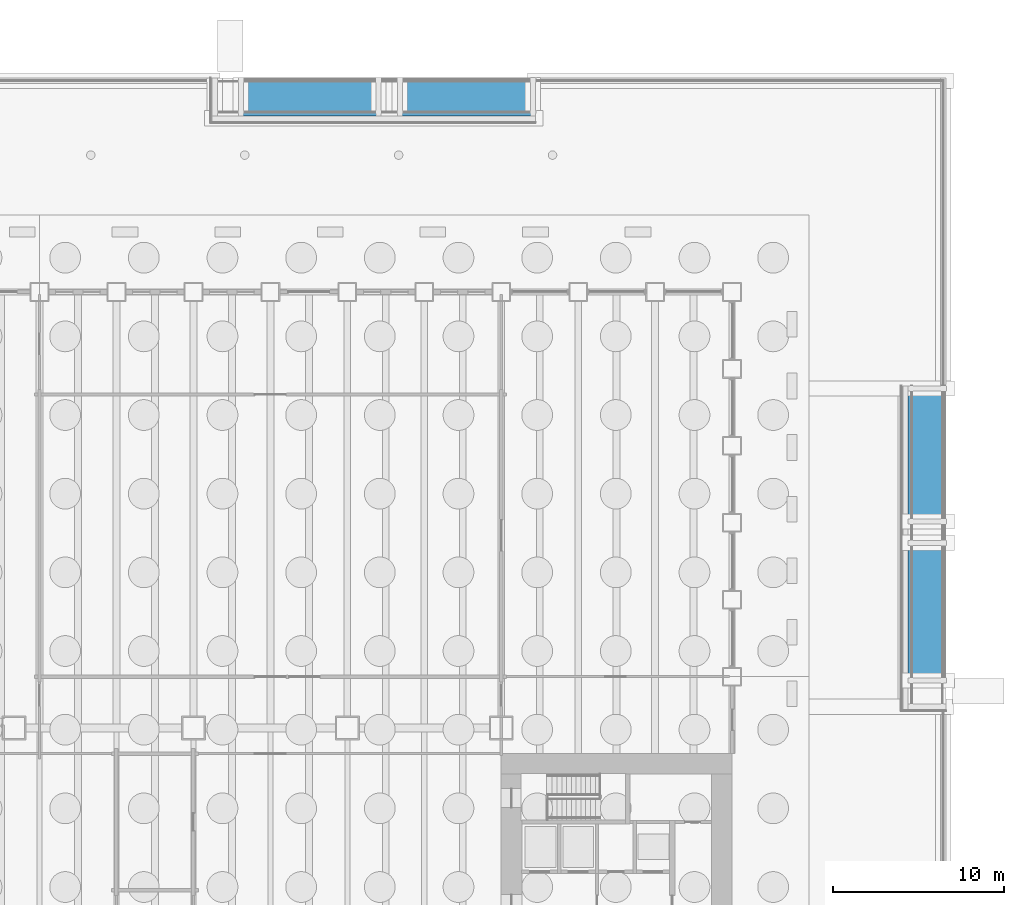
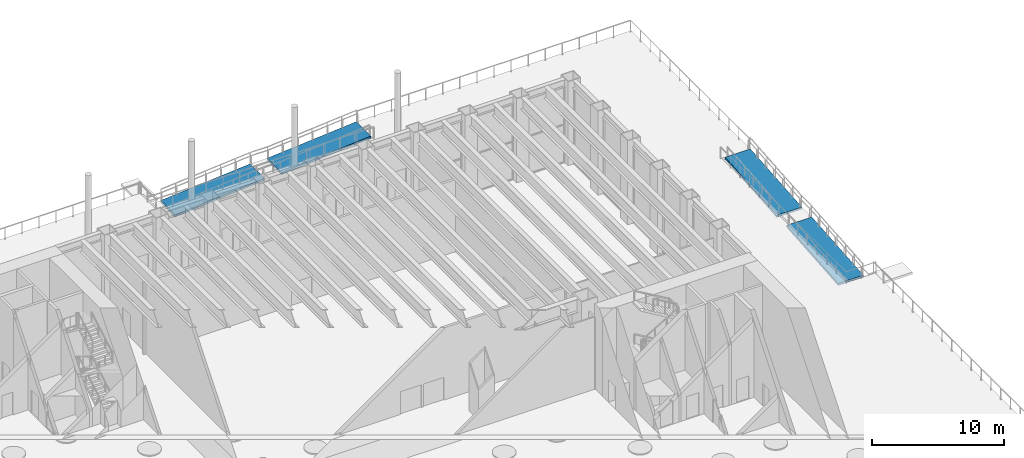
# One storey, part 16 of 26: 4 ramp flights, 2 elements without a shape of their own.
"""IFC4 building model written with IfcOpenShell, lengths in metres."""

from ifc_helpers import new_model, si_unit, direction, frame, origin, place, context, subcontext, project, spatial, polyline, outline, extrude, material, layer, layer_set, type_object, element, aggregate, save


model = new_model("IFC4")

# Units and contexts
model_context = context("Model", 3, precision=1e-05, world=origin(), true_north=direction((0.0, 1.0)))
body_context = subcontext(model_context, "Body", "Model", "MODEL_VIEW")
ifc_project = project(units=[si_unit("LENGTHUNIT", "METRE"), si_unit("AREAUNIT", "SQUARE_METRE"), si_unit("VOLUMEUNIT", "CUBIC_METRE"), si_unit("PLANEANGLEUNIT", "RADIAN"), si_unit("MASSUNIT", "GRAM", prefix="KILO")], contexts=[model_context])

# Site, building, storey
site_placement = place(None, origin())
site = spatial("IfcSite", under=ifc_project, at=site_placement, CompositionType="ELEMENT")
building_placement = place(site_placement, origin())
building = spatial("IfcBuilding", under=site, at=building_placement, Name="Sennacour Bend Tower", CompositionType="ELEMENT")
storey_placement = place(building_placement, origin())
storey = spatial("IfcBuildingStorey", under=building, at=storey_placement, Name="L00", CompositionType="ELEMENT", Elevation=0.0)

# Ramp, ramp flights
ifc_material = material(Name="Concrete C40/50", Category="concrete")
ramp_type = type_object("IfcRampType", Name="PLAZA RAMP", PredefinedType="TWO_STRAIGHT_RUN_RAMP", material=ifc_material)
ramp_1_placement = place(storey_placement, origin())
ramp_1 = element("IfcRamp", 1, at=ramp_1_placement, inside=storey, type_object=ramp_type, Name="Plaza ramp East", PredefinedType="TWO_STRAIGHT_RUN_RAMP")
ifc_layer = layer(ifc_material, 0.199951171875, Name="Concrete C40/50", Category="concrete")
ifc_layer_set = layer_set([ifc_layer], Name="Concrete C40/50")
ramp_flight_type = type_object("IfcRampFlightType", Name="RAMP FLIGHT 200", PredefinedType="STRAIGHT", material=ifc_layer_set)
ramp_flight_1_placement = place(storey_placement, frame((77.800048828125, 44.0, 0.0), z_axis=(0.0, -0.083032572895, 0.996546833741), x_axis=(1.0, 0.0, 0.0)))
ramp_flight_1 = element("IfcRampFlight", 2, at=ramp_flight_1_placement, type_object=ramp_flight_type, Name="Ramp flight 1 East", PredefinedType="STRAIGHT", context=body_context, shape_type="SweptSolid", body=[
    extrude(outline(polyline([(0.0, 0.0), (2.199951171875, 0.0), (2.199951171875, -7.827077026422183), (0.0, -7.827077026422183), (0.0, 0.0)])), origin(), (0.0, -0.083032572895, -0.996546833741), 0.199951171875),
])
ramp_flight_2_placement = place(storey_placement, frame((77.800048828125, 34.699951171875, -0.64990234375), z_axis=(0.0, -0.083063549526, 0.996544252274), x_axis=(1.0, 0.0, 0.0)))
ramp_flight_2 = element("IfcRampFlight", 3, at=ramp_flight_2_placement, type_object=ramp_flight_type, Name="Ramp flight 2 East", PredefinedType="STRAIGHT", context=body_context, shape_type="SweptSolid", body=[
    extrude(outline(polyline([(0.0, 0.0), (2.199951171875, 0.0), (2.199951171875, -7.827097301827756), (0.0, -7.827097301827756), (0.0, 0.0)])), origin(), (0.0, -0.083063549526, -0.996544252274), 0.199951171875),
])
aggregate(ramp_1, [ramp_flight_1, ramp_flight_2])

ramp_2_placement = place(storey_placement, origin())
ramp_2 = element("IfcRamp", 4, at=ramp_2_placement, inside=storey, type_object=ramp_type, Name="Plaza ramp North", PredefinedType="TWO_STRAIGHT_RUN_RAMP")
ramp_flight_3_placement = place(storey_placement, frame((56.0, 62.0, 0.0), z_axis=(-0.083032572895, 0.0, 0.996546833741), x_axis=(0.0, -1.0, 0.0)))
ramp_flight_3 = element("IfcRampFlight", 5, at=ramp_flight_3_placement, type_object=ramp_flight_type, Name="Ramp flight 1 North", PredefinedType="STRAIGHT", context=body_context, shape_type="SweptSolid", body=[
    extrude(outline(polyline([(0.0, 0.0), (2.199951171875, 0.0), (2.199951171875, -7.827077026422183), (0.0, -7.827077026422183), (0.0, 0.0)])), origin(), (0.0, -0.083032572895, -0.996546833741), 0.199951171875),
])
ramp_flight_4_placement = place(storey_placement, frame((46.699951171875, 62.0, -0.64990234375), z_axis=(-0.083063549526, 0.0, 0.996544252274), x_axis=(0.0, -1.0, 0.0)))
ramp_flight_4 = element("IfcRampFlight", 6, at=ramp_flight_4_placement, type_object=ramp_flight_type, Name="Ramp flight 2 North", PredefinedType="STRAIGHT", context=body_context, shape_type="SweptSolid", body=[
    extrude(outline(polyline([(0.0, 0.0), (2.199951171875, 0.0), (2.199951171875, -7.827097301827756), (0.0, -7.827097301827756), (0.0, 0.0)])), origin(), (0.0, -0.083063549526, -0.996544252274), 0.199951171875),
])
aggregate(ramp_2, [ramp_flight_3, ramp_flight_4])

save(model, "model.ifc")
